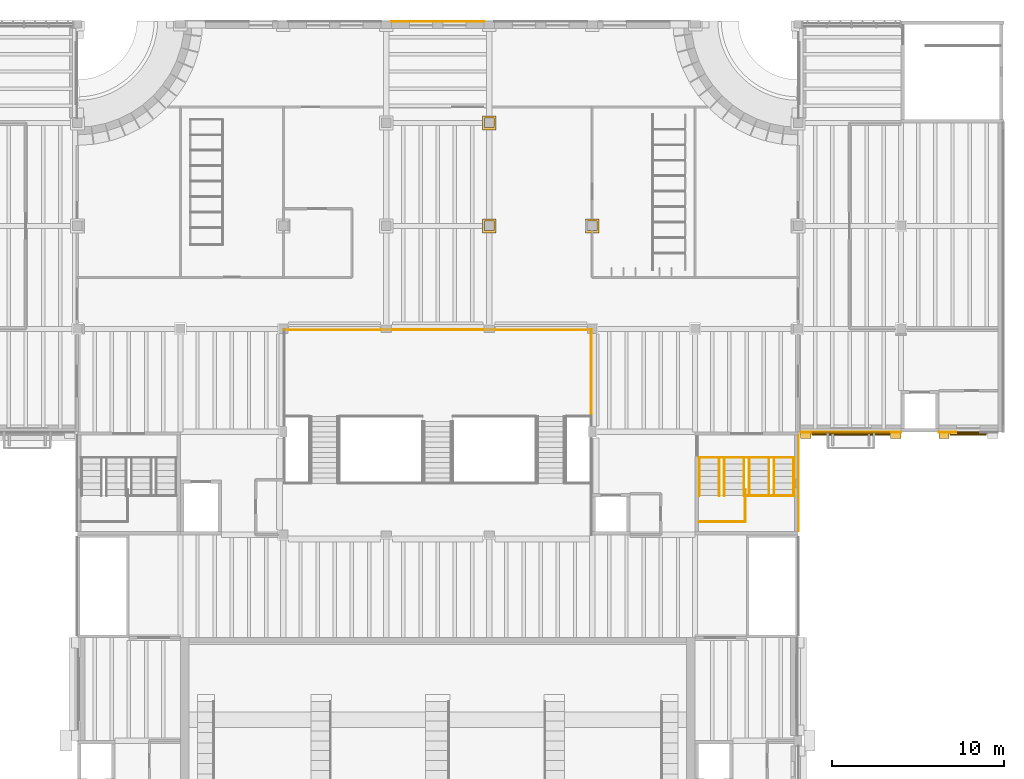
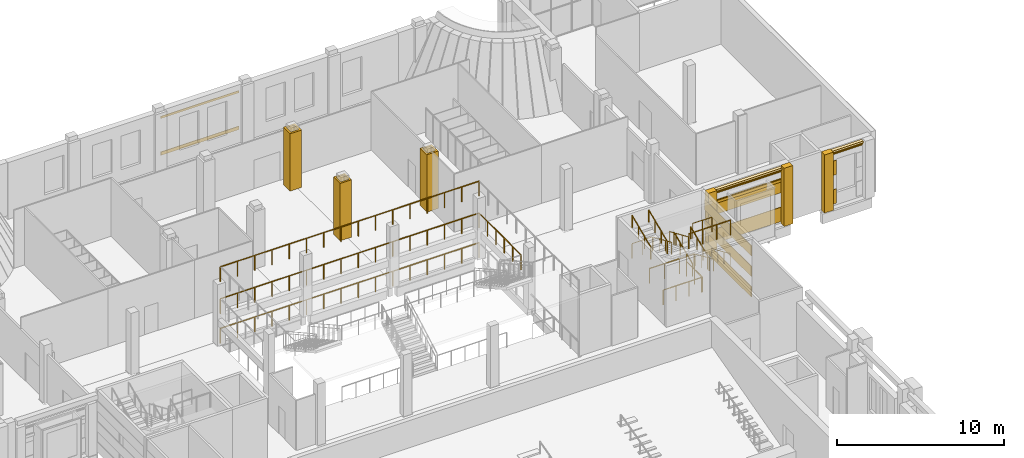
# One storey, part 68 of 70: 22 coverings, 18 railings.
"""IFC4 building model written with IfcOpenShell, lengths in metres."""

import ifcopenshell
import ifcopenshell.guid

model = None  # the IFC model being written
_history = None  # IfcOwnerHistory: only IFC2X3 demands one
_inside = {}  # id of a spatial element -> (the spatial element, [elements in it])
_under = {}  # id of a project, library or spatial element -> (it, [spatial elements below it])
_declared = {}  # id of a project -> (the project, [libraries it declares])
_typed = {}  # id of a type object -> (the type object, [elements of that type])
_made_of = {}  # id of a material, layer set ... -> (it, [elements and type objects made of it])


def new_model(schema):
    """Start an empty IFC model of exactly this schema.

    Asked for "IFC4X3", IfcOpenShell would pick the latest addendum, in which some entities
    have other attributes; the version numbers below select the first issue.
    IFC2X3 requires an IfcOwnerHistory on every rooted entity: one is made here for all.
    """
    global model, _history
    if schema == "IFC4X3":
        model = ifcopenshell.file(schema_version=(4, 3, 0, 0))
    else:
        model = ifcopenshell.file(schema=schema)
    _inside.clear()
    _under.clear()
    _declared.clear()
    _typed.clear()
    _made_of.clear()
    _history = None
    if model.schema == "IFC2X3":
        org = make("IfcOrganization", Name="unknown")
        user = make(
            "IfcPersonAndOrganization",
            ThePerson=make("IfcPerson", FamilyName="unknown"),
            TheOrganization=org,
        )
        app = make(
            "IfcApplication",
            ApplicationDeveloper=org,
            Version="unknown",
            ApplicationFullName="unknown",
            ApplicationIdentifier="unknown",
        )
        _history = make(
            "IfcOwnerHistory",
            OwningUser=user,
            OwningApplication=app,
            ChangeAction="ADDED",
            CreationDate=0,
        )
    return model


def make(cls, **values):
    """One entity of the class cls with the attributes given. An attribute that is None is left unset."""
    return model.create_entity(
        cls, **{name: value for name, value in values.items() if value is not None}
    )


def rooted(cls, **values):
    """An entity with a GlobalId (a new one), such as an element, a storey or a relation."""
    return make(cls, GlobalId=ifcopenshell.guid.new(), OwnerHistory=_history, **values)


def si_unit(unit_type, name, prefix=None):
    """IfcSIUnit, for example si_unit("LENGTHUNIT", "METRE", prefix="MILLI")."""
    return make("IfcSIUnit", UnitType=unit_type, Prefix=prefix, Name=name)


def assignment(units):
    """IfcUnitAssignment: the units of a project."""
    return None if units is None else make("IfcUnitAssignment", Units=units)


def point(xyz):
    """IfcCartesianPoint."""
    return None if xyz is None else make("IfcCartesianPoint", Coordinates=xyz)


def direction(xyz):
    """IfcDirection."""
    return None if xyz is None else make("IfcDirection", DirectionRatios=xyz)


def frame(location, z_axis=None, x_axis=None):
    """IfcAxis2Placement3D, a coordinate frame: its origin and axes. An axis left out is left unset."""
    return make(
        "IfcAxis2Placement3D",
        Location=point(location),
        Axis=direction(z_axis),
        RefDirection=direction(x_axis),
    )


def frame_2d(location, x_axis=None):
    """IfcAxis2Placement2D, a coordinate frame in the plane: its origin and x axis."""
    return make(
        "IfcAxis2Placement2D", Location=point(location), RefDirection=direction(x_axis)
    )


def origin():
    """The frame at (0, 0, 0) with its axes left unset."""
    return frame((0.0, 0.0, 0.0))


def origin_2d():
    """The frame at (0, 0) in the plane with its x axis left unset."""
    return frame_2d((0.0, 0.0))


def place(relative_to, where):
    """IfcLocalPlacement: puts the frame where relative to a parent placement (None: the world)."""
    return make(
        "IfcLocalPlacement", PlacementRelTo=relative_to, RelativePlacement=where
    )


def context(
    kind, dimensions, precision=None, world=None, true_north=None, identifier=None
):
    """IfcGeometricRepresentationContext, for example the 3D "Model" context."""
    return make(
        "IfcGeometricRepresentationContext",
        ContextIdentifier=identifier,
        ContextType=kind,
        CoordinateSpaceDimension=dimensions,
        Precision=precision,
        WorldCoordinateSystem=world,
        TrueNorth=true_north,
    )


def subcontext(parent, identifier, kind, view, scale=None):
    """IfcGeometricRepresentationSubContext, for example "Body" below "Model"."""
    return make(
        "IfcGeometricRepresentationSubContext",
        ContextIdentifier=identifier,
        ContextType=kind,
        ParentContext=parent,
        TargetScale=scale,
        TargetView=view,
    )


def project(units=None, contexts=None):
    """IfcProject with its units and contexts."""
    return rooted(
        "IfcProject",
        Name="project",
        RepresentationContexts=contexts,
        UnitsInContext=assignment(units),
    )


def spatial(cls, under=None, at=None, **own):
    """A site, building, storey or space (cls), placed at a placement, below another one or the project."""
    s = rooted(cls, ObjectPlacement=at, **own)
    if under is not None:
        _under.setdefault(under.id(), (under, []))[1].append(s)
    return s


def polyline(points):
    """IfcPolyline through the points."""
    return make("IfcPolyline", Points=[point(p) for p in points])


def profile(cls, at=None, kind="AREA", **sizes):
    """A parametric profile (cls). Its sizes go by their IFC names, for example OverallWidth=200.0."""
    return make(cls, ProfileType=kind, Position=at, **sizes)


def rectangle(**sizes):
    """IfcRectangleProfileDef."""
    return profile("IfcRectangleProfileDef", **sizes)


def circle(**sizes):
    """IfcCircleProfileDef."""
    return profile("IfcCircleProfileDef", **sizes)


def outline(outer, holes=None, kind="AREA"):
    """IfcArbitraryClosedProfileDef: a profile drawn as a closed curve; with holes, ...WithVoids."""
    if holes is None:
        return make("IfcArbitraryClosedProfileDef", ProfileType=kind, OuterCurve=outer)
    return make(
        "IfcArbitraryProfileDefWithVoids",
        ProfileType=kind,
        OuterCurve=outer,
        InnerCurves=holes,
    )


def extrude(swept, where, along, depth):
    """IfcExtrudedAreaSolid: the profile swept, set in the frame where, extruded along a direction by depth."""
    return make(
        "IfcExtrudedAreaSolid",
        SweptArea=swept,
        Position=where,
        ExtrudedDirection=direction(along),
        Depth=depth,
    )


def shape(context_of_items, identifier, shape_type, items):
    """IfcShapeRepresentation: the items that make up one representation, for example the "Body"."""
    return make(
        "IfcShapeRepresentation",
        ContextOfItems=context_of_items,
        RepresentationIdentifier=identifier,
        RepresentationType=shape_type,
        Items=items,
    )


def material(Name=None, Category=None):
    """IfcMaterial."""
    return make("IfcMaterial", Name=Name, Category=Category)


def layer(
    of_material, thickness, ventilated=None, Name=None, Category=None, Priority=None
):
    """IfcMaterialLayer: one layer of a wall or slab, of a material (None: an air gap)."""
    return make(
        "IfcMaterialLayer",
        Material=of_material,
        LayerThickness=thickness,
        IsVentilated=ventilated,
        Name=Name,
        Category=Category,
        Priority=Priority,
    )


def layer_set(layers, Name=None):
    """IfcMaterialLayerSet."""
    return make("IfcMaterialLayerSet", MaterialLayers=layers, LayerSetName=Name)


def made_of(thing, what):
    """Note that an element or type object is made of a material, layer set ...; save() writes the relation."""
    if what is not None:
        _made_of.setdefault(what.id(), (what, []))[1].append(thing)
    return thing


def type_object(cls, material=None, **own):
    """A type object (cls), such as IfcWallType, which elements share."""
    return made_of(rooted(cls, **own), material)


def element(
    cls,
    number,
    at=None,
    inside=None,
    cuts=None,
    type_object=None,
    material=None,
    context=None,
    identifier="Body",
    shape_type=None,
    held_by="IfcProductDefinitionShape",
    body=None,
    shapes=None,
    **own,
):
    """One element of the class cls, such as IfcWall. Its Tag is "e" and its number.

    at: its placement. inside: the storey or other place that contains it. cuts: it is an
    opening in that element (IfcRelVoidsElement). A single representation is given by context,
    identifier, shape_type and body (its items); several are given by shapes. held_by: the class
    of the entity that holds the representations. save() writes the other relations.
    """
    e = rooted(cls, Tag="e%d" % number, ObjectPlacement=at, **own)
    if body is not None:
        shapes = [shape(context, identifier, shape_type, body)]
    if shapes is not None:
        e.Representation = make(held_by, Representations=shapes)
    if inside is not None:
        _inside.setdefault(inside.id(), (inside, []))[1].append(e)
    if cuts is not None:
        rooted(
            "IfcRelVoidsElement", RelatingBuildingElement=cuts, RelatedOpeningElement=e
        )
    if type_object is not None:
        _typed.setdefault(type_object.id(), (type_object, []))[1].append(e)
    return made_of(e, material)


def aggregate(whole, parts):
    """IfcRelAggregates: a whole, such as a stair, and the parts it consists of."""
    return rooted("IfcRelAggregates", RelatingObject=whole, RelatedObjects=parts)


def save(model, path):
    """Write the relations noted so far, then the file.

    IfcRelAggregates (storeys below a building ...), IfcRelContainedInSpatialStructure (elements
    in a storey), IfcRelDefinesByType, IfcRelAssociatesMaterial and IfcRelDeclares: one each for
    every whole, place, type object, material and project.
    """
    for whole, parts in _under.values():
        aggregate(whole, parts)
    for where, things in _inside.values():
        rooted(
            "IfcRelContainedInSpatialStructure",
            RelatedElements=things,
            RelatingStructure=where,
        )
    for kind, things in _typed.values():
        rooted("IfcRelDefinesByType", RelatedObjects=things, RelatingType=kind)
    for what, things in _made_of.values():
        rooted("IfcRelAssociatesMaterial", RelatedObjects=things, RelatingMaterial=what)
    for by, libraries in _declared.values():
        rooted("IfcRelDeclares", RelatingContext=by, RelatedDefinitions=libraries)
    model.write(path)


model = new_model("IFC4")

# Units and contexts
model_context = context("Model", 3, precision=1e-05, world=origin(), true_north=direction((0.0, 1.0)))
body_context = subcontext(model_context, "Body", "Model", "MODEL_VIEW")
ifc_project = project(units=[si_unit("LENGTHUNIT", "METRE"), si_unit("AREAUNIT", "SQUARE_METRE"), si_unit("VOLUMEUNIT", "CUBIC_METRE"), si_unit("PLANEANGLEUNIT", "RADIAN"), si_unit("MASSUNIT", "GRAM", prefix="KILO")], contexts=[model_context])

# Site, building, storey
site_placement = place(None, origin())
site = spatial("IfcSite", under=ifc_project, at=site_placement, CompositionType="ELEMENT")
building_placement = place(site_placement, origin())
building = spatial("IfcBuilding", under=site, at=building_placement, Name="Saffron Lane Theatres", CompositionType="ELEMENT")
storey_placement = place(building_placement, frame((0.0, 0.0, 12.0)))
storey = spatial("IfcBuildingStorey", under=building, at=storey_placement, Name="L02", CompositionType="ELEMENT", Elevation=12.0)

# Coverings
ifc_material_1 = material(Name="Masonry sandstone", Category="masonry")
ifc_layer_1 = layer(ifc_material_1, 0.0400390625)
ifc_layer_set_1 = layer_set([ifc_layer_1], Name="Masonry sandstone")
covering_type_1 = type_object("IfcCoveringType", Name="EX-BANDING COURSE SANDSTONE 40", PredefinedType="CLADDING", material=ifc_layer_set_1)
for number, where, z_axis, x_axis, name in (
    (1, (54.02001953125, 99.0, 0.0), (0.0, 0.0, 1.0), (0.0, 1.0, 0.0), "Banding course L02"),
    (2, (54.02001953125, 99.0, 1.5), (0.0, 0.0, 1.0), (0.0, 1.0, 0.0), "Banding course L02"),
    (3, (54.02001953125, 99.0, 3.0), (0.0, 0.0, 1.0), (0.0, 1.0, 0.0), "Banding course L02"),
):
    element("IfcCovering", number, at=place(storey_placement, frame(where, z_axis=z_axis, x_axis=x_axis)), inside=storey, type_object=covering_type_1, Name=name, PredefinedType="CLADDING", context=body_context, shape_type="SweptSolid", body=[
        extrude(rectangle(XDim=5.60009765625, YDim=0.0400390625, at=origin_2d()), origin(), (0.0, 0.0, 1.0), 0.75),
    ])
ifc_material_2 = material(Name="Masonry sandstone", Category="masonry")
ifc_layer_2 = layer(ifc_material_2, 0.179931640625)
ifc_layer_set_2 = layer_set([ifc_layer_2], Name="Masonry sandstone")
covering_type_2 = type_object("IfcCoveringType", Name="EX-EAVES CORNICE SANDSTONE 180", PredefinedType="CLADDING", material=ifc_layer_set_2)
covering_1_placement = place(storey_placement, frame((63.919921875, 101.889892578125, 4.06005859375), z_axis=(0.0, 0.0, 1.0), x_axis=(-1.0, 0.0, 0.0)))
element("IfcCovering", 4, at=covering_1_placement, inside=storey, type_object=covering_type_2, Name="Eaves cornice L02", PredefinedType="CLADDING", context=body_context, shape_type="SweptSolid", body=[
    extrude(rectangle(XDim=2.139892578125, YDim=0.219970703125, at=origin_2d()), origin(), (0.0, 0.0, 1.0), 0.1298828125),
])
covering_2_placement = place(storey_placement, frame((63.919921875, 101.925048828125, 3.93017578125), z_axis=(0.0, 0.0, 1.0), x_axis=(-1.0, 0.0, 0.0)))
element("IfcCovering", 5, at=covering_2_placement, inside=storey, type_object=covering_type_2, Name="Eaves cornice L02", PredefinedType="CLADDING", context=body_context, shape_type="SweptSolid", body=[
    extrude(rectangle(XDim=2.139892578125, YDim=0.14990234375, at=origin_2d()), origin(), (0.0, 0.0, 1.0), 0.1298828125),
])
covering_3_placement = place(storey_placement, frame((63.919921875, 101.9599609375, 3.800048828125), z_axis=(0.0, 0.0, 1.0), x_axis=(-1.0, 0.0, 0.0)))
element("IfcCovering", 6, at=covering_3_placement, inside=storey, type_object=covering_type_2, Name="Eaves cornice L02", PredefinedType="CLADDING", context=body_context, shape_type="SweptSolid", body=[
    extrude(rectangle(XDim=2.139892578125, YDim=0.080078125, at=origin_2d()), origin(), (0.0, 0.0, 1.0), 0.1298828125),
])
covering_4_placement = place(storey_placement, frame((57.074951171875, 101.889892578125, 4.06005859375), z_axis=(0.0, 0.0, 1.0), x_axis=(-1.0, 0.0, 0.0)))
element("IfcCovering", 7, at=covering_4_placement, inside=storey, type_object=covering_type_2, Name="Eaves cornice L02", PredefinedType="CLADDING", context=body_context, shape_type="SweptSolid", body=[
    extrude(rectangle(XDim=4.550048828125, YDim=0.219970703125, at=origin_2d()), origin(), (0.0, 0.0, 1.0), 0.1298828125),
])
covering_5_placement = place(storey_placement, frame((57.074951171875, 101.925048828125, 3.93017578125), z_axis=(0.0, 0.0, 1.0), x_axis=(-1.0, 0.0, 0.0)))
element("IfcCovering", 8, at=covering_5_placement, inside=storey, type_object=covering_type_2, Name="Eaves cornice L02", PredefinedType="CLADDING", context=body_context, shape_type="SweptSolid", body=[
    extrude(rectangle(XDim=4.550048828125, YDim=0.14990234375, at=origin_2d()), origin(), (0.0, 0.0, 1.0), 0.1298828125),
])
covering_6_placement = place(storey_placement, frame((57.074951171875, 101.9599609375, 3.800048828125), z_axis=(0.0, 0.0, 1.0), x_axis=(-1.0, 0.0, 0.0)))
element("IfcCovering", 9, at=covering_6_placement, inside=storey, type_object=covering_type_2, Name="Eaves cornice L02", PredefinedType="CLADDING", context=body_context, shape_type="SweptSolid", body=[
    extrude(rectangle(XDim=4.550048828125, YDim=0.080078125, at=origin_2d()), origin(), (0.0, 0.0, 1.0), 0.1298828125),
])
ifc_material_3 = material(Name="Masonry sandstone", Category="masonry")
ifc_layer_3 = layer(ifc_material_3, 0.1201171875)
ifc_layer_set_3 = layer_set([ifc_layer_3], Name="Masonry sandstone")
covering_type_3 = type_object("IfcCoveringType", Name="EX-EAVES STRING COURSE SANDSTONE 120", PredefinedType="CLADDING", material=ifc_layer_set_3)
covering_7_placement = place(storey_placement, frame((57.074951171875, 101.93994140625, 3.10009765625), z_axis=(0.0, 0.0, 1.0), x_axis=(-1.0, 0.0, 0.0)))
element("IfcCovering", 10, at=covering_7_placement, inside=storey, type_object=covering_type_3, Name="Eaves string course L02", PredefinedType="CLADDING", context=body_context, shape_type="SweptSolid", body=[
    extrude(rectangle(XDim=4.550048828125, YDim=0.1201171875, at=origin_2d()), origin(), (0.0, 0.0, 1.0), 0.199951171875),
])
ifc_material_4 = material(Name="Face brick cladding, pale buff", Category="masonry")
ifc_layer_4 = layer(ifc_material_4, 0.0400390625)
ifc_layer_set_4 = layer_set([ifc_layer_4], Name="Face brick cladding, pale buff")
covering_type_4 = type_object("IfcCoveringType", Name="EX-FACE BRICK CLADDING PALE BUFF 40", PredefinedType="CLADDING", material=ifc_layer_set_4)
for number, where, z_axis, x_axis, name in (
    (11, (62.7119140625, 101.97998046875, 0.14990234375), (0.0, 0.0, 1.0), (-1.0, 0.0, 0.0), "Cladding course L02"),
    (12, (62.7119140625, 101.97998046875, 2.25), (0.0, 0.0, 1.0), (-1.0, 0.0, 0.0), "Cladding course L02"),
):
    element("IfcCovering", number, at=place(storey_placement, frame(where, z_axis=z_axis, x_axis=x_axis)), inside=storey, type_object=covering_type_4, Name=name, PredefinedType="CLADDING", context=body_context, shape_type="SweptSolid", body=[
        extrude(rectangle(XDim=1.02490234375, YDim=0.0400390625, at=origin_2d()), origin(), (0.0, 0.0, 1.0), 1.050048828125),
    ])
for number, where, z_axis, x_axis, name in (
    (13, (57.074951171875, 101.97998046875, 0.14990234375), (0.0, 0.0, 1.0), (-1.0, 0.0, 0.0), "Cladding course L02"),
    (14, (57.074951171875, 101.97998046875, 2.25), (0.0, 0.0, 1.0), (-1.0, 0.0, 0.0), "Cladding course L02"),
):
    element("IfcCovering", number, at=place(storey_placement, frame(where, z_axis=z_axis, x_axis=x_axis)), inside=storey, type_object=covering_type_4, Name=name, PredefinedType="CLADDING", context=body_context, shape_type="SweptSolid", body=[
        extrude(rectangle(XDim=5.85009765625, YDim=0.0400390625, at=origin_2d()), origin(), (0.0, 0.0, 1.0), 1.050048828125),
    ])
ifc_material_5 = material(Name="Masonry sandstone", Category="masonry")
ifc_layer_5 = layer(ifc_material_5, 0.0400390625)
ifc_layer_set_5 = layer_set([ifc_layer_5], Name="Masonry sandstone")
covering_type_5 = type_object("IfcCoveringType", Name="EX-HEAD COURSE SANDSTONE 150", PredefinedType="CLADDING", material=ifc_layer_set_5)
covering_8_placement = place(storey_placement, frame((33.0, 125.919921875, 3.35009765625), z_axis=(0.0, 0.0, 1.0), x_axis=(1.0, 0.0, 0.0)))
element("IfcCovering", 15, at=covering_8_placement, inside=storey, type_object=covering_type_5, Name="Facade head course L02", PredefinedType="CLADDING", context=body_context, shape_type="SweptSolid", body=[
    extrude(rectangle(XDim=5.39990234375, YDim=0.0400390625, at=origin_2d()), origin(), (0.0, 0.0, 1.0), 0.14990234375),
])
ifc_material_6 = material(Name="Face brick cladding, pale buff", Category="masonry")
ifc_layer_6 = layer(ifc_material_6, 0.10009765625)
ifc_layer_set_6 = layer_set([ifc_layer_6], Name="Face brick cladding, pale buff")
covering_type_6 = type_object("IfcCoveringType", Name="EX-PIER CASING FACE BRICK PALE BUFF 800", PredefinedType="CLADDING", material=ifc_layer_set_6)
covering_9_placement = place(storey_placement, origin())
element("IfcCovering", 16, at=covering_9_placement, inside=storey, type_object=covering_type_6, Name="Pier casing L02 46", PredefinedType="CLADDING", context=body_context, shape_type="SweptSolid", body=[
    extrude(outline(polyline([(36.39990234375, 114.39990234375), (35.60009765625, 114.39990234375), (35.60009765625, 113.60009765625), (36.39990234375, 113.60009765625), (36.39990234375, 114.39990234375)]), holes=[polyline([(35.72509765625, 114.27490234375), (36.27490234375, 114.27490234375), (36.27490234375, 113.72509765625), (35.72509765625, 113.72509765625), (35.72509765625, 114.27490234375)])]), origin(), (0.0, 0.0, 1.0), 4.199951171875),
])
covering_10_placement = place(storey_placement, origin())
element("IfcCovering", 17, at=covering_10_placement, inside=storey, type_object=covering_type_6, Name="Pier casing L02 47", PredefinedType="CLADDING", context=body_context, shape_type="SweptSolid", body=[
    extrude(outline(polyline([(42.39990234375, 114.39990234375), (41.60009765625, 114.39990234375), (41.60009765625, 113.60009765625), (42.39990234375, 113.60009765625), (42.39990234375, 114.39990234375)]), holes=[polyline([(41.72509765625, 114.27490234375), (42.27490234375, 114.27490234375), (42.27490234375, 113.72509765625), (41.72509765625, 113.72509765625), (41.72509765625, 114.27490234375)])]), origin(), (0.0, 0.0, 1.0), 4.199951171875),
])
covering_11_placement = place(storey_placement, origin())
element("IfcCovering", 18, at=covering_11_placement, inside=storey, type_object=covering_type_6, Name="Pier casing L02 51", PredefinedType="CLADDING", context=body_context, shape_type="SweptSolid", body=[
    extrude(outline(polyline([(36.39990234375, 120.39990234375), (35.60009765625, 120.39990234375), (35.60009765625, 119.60009765625), (36.39990234375, 119.60009765625), (36.39990234375, 120.39990234375)]), holes=[polyline([(35.72509765625, 120.27490234375), (36.27490234375, 120.27490234375), (36.27490234375, 119.72509765625), (35.72509765625, 119.72509765625), (35.72509765625, 120.27490234375)])]), origin(), (0.0, 0.0, 1.0), 4.199951171875),
])
ifc_material_7 = material(Name="Masonry sandstone", Category="masonry")
ifc_layer_7 = layer(ifc_material_7, 0.39990234375)
ifc_layer_set_7 = layer_set([ifc_layer_7], Name="Masonry sandstone")
covering_type_7 = type_object("IfcCoveringType", Name="EX-PILASTER PIER SANDSTONE 400", PredefinedType="CLADDING", material=ifc_layer_set_7)
for number, where, z_axis, x_axis, name in (
    (19, (62.5, 101.800048828125, 0.0), (0.0, 0.0, 1.0), (-1.0, 0.0, 0.0), "Pilaster pier L02"),
    (20, (59.699951171875, 101.800048828125, 0.0), (0.0, 0.0, 1.0), (-1.0, 0.0, 0.0), "Pilaster pier L02"),
    (21, (54.449951171875, 101.800048828125, 0.0), (0.0, 0.0, 1.0), (-1.0, 0.0, 0.0), "Pilaster pier L02"),
):
    element("IfcCovering", number, at=place(storey_placement, frame(where, z_axis=z_axis, x_axis=x_axis)), inside=storey, type_object=covering_type_7, Name=name, PredefinedType="CLADDING", context=body_context, shape_type="SweptSolid", body=[
        extrude(rectangle(XDim=0.60009765625, YDim=0.39990234375, at=origin_2d()), origin(), (0.0, 0.0, 1.0), 4.25),
    ])
ifc_material_8 = material(Name="Masonry sandstone", Category="masonry")
ifc_layer_8 = layer(ifc_material_8, 0.0400390625)
ifc_layer_set_8 = layer_set([ifc_layer_8], Name="Masonry sandstone")
covering_type_8 = type_object("IfcCoveringType", Name="EX-SILL COURSE SANDSTONE 250", PredefinedType="CLADDING", material=ifc_layer_set_8)
covering_12_placement = place(storey_placement, frame((33.0, 125.919921875, 0.64990234375), z_axis=(0.0, 0.0, 1.0), x_axis=(1.0, 0.0, 0.0)))
element("IfcCovering", 22, at=covering_12_placement, inside=storey, type_object=covering_type_8, Name="Facade sill course L02", PredefinedType="CLADDING", context=body_context, shape_type="SweptSolid", body=[
    extrude(rectangle(XDim=5.39990234375, YDim=0.0400390625, at=origin_2d()), origin(), (0.0, 0.0, 1.0), 0.25),
])

# Railings
ifc_material_9 = material(Name="Steel Grade 350", Category="steel")
railing_type_1 = type_object("IfcRailingType", Name="VC-GUARD 1100", PredefinedType="GUARDRAIL", material=ifc_material_9)
railing_1_placement = place(storey_placement, frame((50.89990234375, 96.75, 1.125)))
element("IfcRailing", 23, at=railing_1_placement, inside=storey, type_object=railing_type_1, Name="Brick Block East Stair landing guard 3N1s", PredefinedType="GUARDRAIL", context=body_context, shape_type="SweptSolid", body=[
    extrude(circle(Radius=0.02392578125, at=origin_2d()), frame((0.0, 0.0, 1.076171875), z_axis=(-1.0, 0.0, 0.0), x_axis=(0.0, -1.0, 0.0)), (0.0, 0.0, 1.0), 2.669921875),
    extrude(circle(Radius=0.02099609375, at=origin_2d()), origin(), (0.0, 0.0, 1.0), 1.052001953125),
    extrude(circle(Radius=0.02099609375, at=origin_2d()), frame((-0.889892578125, 0.0, 0.0)), (0.0, 0.0, 1.0), 1.052001953125),
    extrude(circle(Radius=0.02099609375, at=origin_2d()), frame((-1.780029296875, 0.0, 0.0)), (0.0, 0.0, 1.0), 1.052001953125),
    extrude(circle(Radius=0.02099609375, at=origin_2d()), frame((-2.669921875, 0.0, 0.0)), (0.0, 0.0, 1.0), 1.052001953125),
])
railing_2_placement = place(storey_placement, frame((50.929931640625, 98.6298828125, 1.125)))
element("IfcRailing", 24, at=railing_2_placement, inside=storey, type_object=railing_type_1, Name="Brick Block East Stair landing guard 3N1e", PredefinedType="GUARDRAIL", context=body_context, shape_type="SweptSolid", body=[
    extrude(circle(Radius=0.02392578125, at=origin_2d()), frame((0.0, 0.0, 1.076171875), z_axis=(0.0, -1.0, 0.0), x_axis=(1.0, 0.0, 0.0)), (0.0, 0.0, 1.0), 1.8798828125),
    extrude(circle(Radius=0.02099609375, at=origin_2d()), origin(), (0.0, 0.0, 1.0), 1.052001953125),
    extrude(circle(Radius=0.02099609375, at=origin_2d()), frame((0.0, -0.93994140625, 0.0)), (0.0, 0.0, 1.0), 1.052001953125),
    extrude(circle(Radius=0.02099609375, at=origin_2d()), frame((0.0, -1.8798828125, 0.0)), (0.0, 0.0, 1.0), 1.052001953125),
])
railing_3_placement = place(storey_placement, frame((53.77001953125, 98.280029296875, 3.375)))
element("IfcRailing", 25, at=railing_3_placement, inside=storey, type_object=railing_type_1, Name="Brick Block East Stair landing guard 3N2s", PredefinedType="GUARDRAIL", context=body_context, shape_type="SweptSolid", body=[
    extrude(circle(Radius=0.02392578125, at=origin_2d()), frame((0.0, 0.0, 1.076171875), z_axis=(-1.0, 0.0, 0.0), x_axis=(0.0, -1.0, 0.0)), (0.0, 0.0, 1.0), 2.8701171875),
    extrude(circle(Radius=0.02099609375, at=origin_2d()), origin(), (0.0, 0.0, 1.0), 1.052001953125),
    extrude(circle(Radius=0.02099609375, at=origin_2d()), frame((-0.956787109375, 0.0, 0.0)), (0.0, 0.0, 1.0), 1.052001953125),
    extrude(circle(Radius=0.02099609375, at=origin_2d()), frame((-1.913330078125, 0.0, 0.0)), (0.0, 0.0, 1.0), 1.052001953125),
    extrude(circle(Radius=0.02099609375, at=origin_2d()), frame((-2.8701171875, 0.0, 0.0)), (0.0, 0.0, 1.0), 1.052001953125),
])
railing_4_placement = place(storey_placement, frame((53.77001953125, 100.5, 2.25)))
element("IfcRailing", 26, at=railing_4_placement, inside=storey, type_object=railing_type_1, Name="Brick Block East Stair landing guard 3S2w", PredefinedType="GUARDRAIL", context=body_context, shape_type="SweptSolid", body=[
    extrude(circle(Radius=0.02392578125, at=origin_2d()), frame((0.0, 0.0, 1.076171875), z_axis=(-1.0, 0.0, 0.0), x_axis=(0.0, -1.0, 0.0)), (0.0, 0.0, 1.0), 1.320068359375),
    extrude(circle(Radius=0.02099609375, at=origin_2d()), origin(), (0.0, 0.0, 1.0), 1.052001953125),
    extrude(circle(Radius=0.02099609375, at=origin_2d()), frame((-0.66015625, 0.0, 0.0)), (0.0, 0.0, 1.0), 1.052001953125),
    extrude(circle(Radius=0.02099609375, at=origin_2d()), frame((-1.320068359375, 0.0, 0.0)), (0.0, 0.0, 1.0), 1.052001953125),
])
railing_5_placement = place(storey_placement, frame((49.64990234375, 100.5, 2.25)))
element("IfcRailing", 27, at=railing_5_placement, inside=storey, type_object=railing_type_1, Name="Brick Block East Stair landing guard 3S2e", PredefinedType="GUARDRAIL", context=body_context, shape_type="SweptSolid", body=[
    extrude(circle(Radius=0.02392578125, at=origin_2d()), frame((0.0, 0.0, 1.076171875), z_axis=(-1.0, 0.0, 0.0), x_axis=(0.0, -1.0, 0.0)), (0.0, 0.0, 1.0), 1.419921875),
    extrude(circle(Radius=0.02099609375, at=origin_2d()), origin(), (0.0, 0.0, 1.0), 1.052001953125),
    extrude(circle(Radius=0.02099609375, at=origin_2d()), frame((-0.7099609375, 0.0, 0.0)), (0.0, 0.0, 1.0), 1.052001953125),
    extrude(circle(Radius=0.02099609375, at=origin_2d()), frame((-1.419921875, 0.0, 0.0)), (0.0, 0.0, 1.0), 1.052001953125),
])
railing_6_placement = place(storey_placement, frame((52.550048828125, 100.5, 0.0)))
element("IfcRailing", 28, at=railing_6_placement, inside=storey, type_object=railing_type_1, Name="Brick Block East Stair guard L02", PredefinedType="GUARDRAIL", context=body_context, shape_type="SweptSolid", body=[
    extrude(circle(Radius=0.02392578125, at=origin_2d()), frame((0.0, 0.0, 1.076171875), z_axis=(-1.0, 0.0, 0.0), x_axis=(0.0, -1.0, 0.0)), (0.0, 0.0, 1.0), 3.10009765625),
    extrude(circle(Radius=0.02099609375, at=origin_2d()), origin(), (0.0, 0.0, 1.0), 1.052001953125),
    extrude(circle(Radius=0.02099609375, at=origin_2d()), frame((-1.033447265625, 0.0, 0.0)), (0.0, 0.0, 1.0), 1.052001953125),
    extrude(circle(Radius=0.02099609375, at=origin_2d()), frame((-2.066650390625, 0.0, 0.0)), (0.0, 0.0, 1.0), 1.052001953125),
    extrude(circle(Radius=0.02099609375, at=origin_2d()), frame((-3.10009765625, 0.0, 0.0)), (0.0, 0.0, 1.0), 1.052001953125),
])
railing_7_placement = place(storey_placement, frame((41.949951171875, 102.89990234375, 2.166748046875)))
element("IfcRailing", 29, at=railing_7_placement, inside=storey, type_object=railing_type_1, Name="Grand Stair landing guard 3m-east", PredefinedType="GUARDRAIL", context=body_context, shape_type="SweptSolid", body=[
    extrude(circle(Radius=0.02392578125, at=origin_2d()), frame((0.0, 0.0, 1.076171875), z_axis=(0.0, 1.0, 0.0), x_axis=(-1.0, 0.0, 0.0)), (0.0, 0.0, 1.0), 5.050048828125),
    extrude(circle(Radius=0.02099609375, at=origin_2d()), origin(), (0.0, 0.0, 1.0), 1.052001953125),
    extrude(circle(Radius=0.02099609375, at=origin_2d()), frame((0.0, 1.010009765625, 0.0)), (0.0, 0.0, 1.0), 1.052001953125),
    extrude(circle(Radius=0.02099609375, at=origin_2d()), frame((0.0, 2.02001953125, 0.0)), (0.0, 0.0, 1.0), 1.052001953125),
    extrude(circle(Radius=0.02099609375, at=origin_2d()), frame((0.0, 3.030029296875, 0.0)), (0.0, 0.0, 1.0), 1.052001953125),
    extrude(circle(Radius=0.02099609375, at=origin_2d()), frame((0.0, 4.0400390625, 0.0)), (0.0, 0.0, 1.0), 1.052001953125),
    extrude(circle(Radius=0.02099609375, at=origin_2d()), frame((0.0, 5.050048828125, 0.0)), (0.0, 0.0, 1.0), 1.052001953125),
])
railing_8_placement = place(storey_placement, frame((24.050048828125, 107.949951171875, 2.166748046875)))
element("IfcRailing", 30, at=railing_8_placement, inside=storey, type_object=railing_type_1, Name="Grand Stair landing guard 3m-north", PredefinedType="GUARDRAIL", context=body_context, shape_type="SweptSolid", body=[
    extrude(circle(Radius=0.02392578125, at=origin_2d()), frame((0.0, 0.0, 1.076171875), z_axis=(1.0, 0.0, 0.0), x_axis=(0.0, 1.0, 0.0)), (0.0, 0.0, 1.0), 17.89990234375),
    extrude(circle(Radius=0.02099609375, at=origin_2d()), origin(), (0.0, 0.0, 1.0), 1.052001953125),
    extrude(circle(Radius=0.02099609375, at=origin_2d()), frame((1.193359375, 0.0, 0.0)), (0.0, 0.0, 1.0), 1.052001953125),
    extrude(circle(Radius=0.02099609375, at=origin_2d()), frame((2.38671875, 0.0, 0.0)), (0.0, 0.0, 1.0), 1.052001953125),
    extrude(circle(Radius=0.02099609375, at=origin_2d()), frame((3.580078125, 0.0, 0.0)), (0.0, 0.0, 1.0), 1.052001953125),
    extrude(circle(Radius=0.02099609375, at=origin_2d()), frame((4.773193359375, 0.0, 0.0)), (0.0, 0.0, 1.0), 1.052001953125),
    extrude(circle(Radius=0.02099609375, at=origin_2d()), frame((5.966552734375, 0.0, 0.0)), (0.0, 0.0, 1.0), 1.052001953125),
    extrude(circle(Radius=0.02099609375, at=origin_2d()), frame((7.159912109375, 0.0, 0.0)), (0.0, 0.0, 1.0), 1.052001953125),
    extrude(circle(Radius=0.02099609375, at=origin_2d()), frame((8.353271484375, 0.0, 0.0)), (0.0, 0.0, 1.0), 1.052001953125),
    extrude(circle(Radius=0.02099609375, at=origin_2d()), frame((9.546630859375, 0.0, 0.0)), (0.0, 0.0, 1.0), 1.052001953125),
    extrude(circle(Radius=0.02099609375, at=origin_2d()), frame((10.739990234375, 0.0, 0.0)), (0.0, 0.0, 1.0), 1.052001953125),
    extrude(circle(Radius=0.02099609375, at=origin_2d()), frame((11.933349609375, 0.0, 0.0)), (0.0, 0.0, 1.0), 1.052001953125),
    extrude(circle(Radius=0.02099609375, at=origin_2d()), frame((13.126708984375, 0.0, 0.0)), (0.0, 0.0, 1.0), 1.052001953125),
    extrude(circle(Radius=0.02099609375, at=origin_2d()), frame((14.31982421875, 0.0, 0.0)), (0.0, 0.0, 1.0), 1.052001953125),
    extrude(circle(Radius=0.02099609375, at=origin_2d()), frame((15.51318359375, 0.0, 0.0)), (0.0, 0.0, 1.0), 1.052001953125),
    extrude(circle(Radius=0.02099609375, at=origin_2d()), frame((16.70654296875, 0.0, 0.0)), (0.0, 0.0, 1.0), 1.052001953125),
    extrude(circle(Radius=0.02099609375, at=origin_2d()), frame((17.89990234375, 0.0, 0.0)), (0.0, 0.0, 1.0), 1.052001953125),
])
railing_9_placement = place(storey_placement, frame((24.050048828125, 107.949951171875, 0.0)))
element("IfcRailing", 31, at=railing_9_placement, inside=storey, type_object=railing_type_1, Name="Grand Stair landing guard 3v-n-L02", PredefinedType="GUARDRAIL", context=body_context, shape_type="SweptSolid", body=[
    extrude(circle(Radius=0.02392578125, at=origin_2d()), frame((0.0, 0.0, 1.076171875), z_axis=(1.0, 0.0, 0.0), x_axis=(0.0, 1.0, 0.0)), (0.0, 0.0, 1.0), 17.89990234375),
    extrude(circle(Radius=0.02099609375, at=origin_2d()), origin(), (0.0, 0.0, 1.0), 1.052001953125),
    extrude(circle(Radius=0.02099609375, at=origin_2d()), frame((1.193359375, 0.0, 0.0)), (0.0, 0.0, 1.0), 1.052001953125),
    extrude(circle(Radius=0.02099609375, at=origin_2d()), frame((2.38671875, 0.0, 0.0)), (0.0, 0.0, 1.0), 1.052001953125),
    extrude(circle(Radius=0.02099609375, at=origin_2d()), frame((3.580078125, 0.0, 0.0)), (0.0, 0.0, 1.0), 1.052001953125),
    extrude(circle(Radius=0.02099609375, at=origin_2d()), frame((4.773193359375, 0.0, 0.0)), (0.0, 0.0, 1.0), 1.052001953125),
    extrude(circle(Radius=0.02099609375, at=origin_2d()), frame((5.966552734375, 0.0, 0.0)), (0.0, 0.0, 1.0), 1.052001953125),
    extrude(circle(Radius=0.02099609375, at=origin_2d()), frame((7.159912109375, 0.0, 0.0)), (0.0, 0.0, 1.0), 1.052001953125),
    extrude(circle(Radius=0.02099609375, at=origin_2d()), frame((8.353271484375, 0.0, 0.0)), (0.0, 0.0, 1.0), 1.052001953125),
    extrude(circle(Radius=0.02099609375, at=origin_2d()), frame((9.546630859375, 0.0, 0.0)), (0.0, 0.0, 1.0), 1.052001953125),
    extrude(circle(Radius=0.02099609375, at=origin_2d()), frame((10.739990234375, 0.0, 0.0)), (0.0, 0.0, 1.0), 1.052001953125),
    extrude(circle(Radius=0.02099609375, at=origin_2d()), frame((11.933349609375, 0.0, 0.0)), (0.0, 0.0, 1.0), 1.052001953125),
    extrude(circle(Radius=0.02099609375, at=origin_2d()), frame((13.126708984375, 0.0, 0.0)), (0.0, 0.0, 1.0), 1.052001953125),
    extrude(circle(Radius=0.02099609375, at=origin_2d()), frame((14.31982421875, 0.0, 0.0)), (0.0, 0.0, 1.0), 1.052001953125),
    extrude(circle(Radius=0.02099609375, at=origin_2d()), frame((15.51318359375, 0.0, 0.0)), (0.0, 0.0, 1.0), 1.052001953125),
    extrude(circle(Radius=0.02099609375, at=origin_2d()), frame((16.70654296875, 0.0, 0.0)), (0.0, 0.0, 1.0), 1.052001953125),
    extrude(circle(Radius=0.02099609375, at=origin_2d()), frame((17.89990234375, 0.0, 0.0)), (0.0, 0.0, 1.0), 1.052001953125),
])
railing_10_placement = place(storey_placement, frame((24.050048828125, 107.949951171875, 4.5)))
element("IfcRailing", 32, at=railing_10_placement, inside=storey, type_object=railing_type_1, Name="Grand Stair landing guard 3v-n-L03", PredefinedType="GUARDRAIL", context=body_context, shape_type="SweptSolid", body=[
    extrude(circle(Radius=0.02392578125, at=origin_2d()), frame((0.0, 0.0, 1.076171875), z_axis=(1.0, 0.0, 0.0), x_axis=(0.0, 1.0, 0.0)), (0.0, 0.0, 1.0), 17.89990234375),
    extrude(circle(Radius=0.02099609375, at=origin_2d()), origin(), (0.0, 0.0, 1.0), 1.052001953125),
    extrude(circle(Radius=0.02099609375, at=origin_2d()), frame((1.193359375, 0.0, 0.0)), (0.0, 0.0, 1.0), 1.052001953125),
    extrude(circle(Radius=0.02099609375, at=origin_2d()), frame((2.38671875, 0.0, 0.0)), (0.0, 0.0, 1.0), 1.052001953125),
    extrude(circle(Radius=0.02099609375, at=origin_2d()), frame((3.580078125, 0.0, 0.0)), (0.0, 0.0, 1.0), 1.052001953125),
    extrude(circle(Radius=0.02099609375, at=origin_2d()), frame((4.773193359375, 0.0, 0.0)), (0.0, 0.0, 1.0), 1.052001953125),
    extrude(circle(Radius=0.02099609375, at=origin_2d()), frame((5.966552734375, 0.0, 0.0)), (0.0, 0.0, 1.0), 1.052001953125),
    extrude(circle(Radius=0.02099609375, at=origin_2d()), frame((7.159912109375, 0.0, 0.0)), (0.0, 0.0, 1.0), 1.052001953125),
    extrude(circle(Radius=0.02099609375, at=origin_2d()), frame((8.353271484375, 0.0, 0.0)), (0.0, 0.0, 1.0), 1.052001953125),
    extrude(circle(Radius=0.02099609375, at=origin_2d()), frame((9.546630859375, 0.0, 0.0)), (0.0, 0.0, 1.0), 1.052001953125),
    extrude(circle(Radius=0.02099609375, at=origin_2d()), frame((10.739990234375, 0.0, 0.0)), (0.0, 0.0, 1.0), 1.052001953125),
    extrude(circle(Radius=0.02099609375, at=origin_2d()), frame((11.933349609375, 0.0, 0.0)), (0.0, 0.0, 1.0), 1.052001953125),
    extrude(circle(Radius=0.02099609375, at=origin_2d()), frame((13.126708984375, 0.0, 0.0)), (0.0, 0.0, 1.0), 1.052001953125),
    extrude(circle(Radius=0.02099609375, at=origin_2d()), frame((14.31982421875, 0.0, 0.0)), (0.0, 0.0, 1.0), 1.052001953125),
    extrude(circle(Radius=0.02099609375, at=origin_2d()), frame((15.51318359375, 0.0, 0.0)), (0.0, 0.0, 1.0), 1.052001953125),
    extrude(circle(Radius=0.02099609375, at=origin_2d()), frame((16.70654296875, 0.0, 0.0)), (0.0, 0.0, 1.0), 1.052001953125),
    extrude(circle(Radius=0.02099609375, at=origin_2d()), frame((17.89990234375, 0.0, 0.0)), (0.0, 0.0, 1.0), 1.052001953125),
])
ifc_material_10 = material(Name="Steel Grade 350", Category="steel")
railing_type_2 = type_object("IfcRailingType", Name="VC-HANDRAIL 900", PredefinedType="HANDRAIL", material=ifc_material_10)
for number, where, name in (
    (33, (53.75, 100.5, 0.16064453125), "Brick Block East Stair handrail 3.1a"),
    (34, (52.60009765625, 100.5, 0.16064453125), "Brick Block East Stair handrail 3.1b"),
):
    element("IfcRailing", number, at=place(storey_placement, frame(where)), inside=storey, type_object=railing_type_2, Name=name, PredefinedType="HANDRAIL", context=body_context, shape_type="SweptSolid", body=[
        extrude(circle(Radius=0.02392578125, at=origin_2d()), frame((0.0, 0.0, 0.8759765625), z_axis=(0.0, -0.917161435653, 0.398515872898), x_axis=(1.0, 0.0, 0.0)), (0.0, 0.0, 1.0), 0.806884765625),
        extrude(circle(Radius=0.02392578125, at=origin_2d()), frame((0.0, -0.739990234375, 1.197265625), z_axis=(0.0, -0.917272012673, 0.398261289567), x_axis=(1.0, 0.0, 0.0)), (0.0, 0.0, 1.0), 0.806640625),
        extrude(circle(Radius=0.02392578125, at=origin_2d()), frame((0.0, -1.47998046875, 1.5185546875), z_axis=(0.0, -0.917161435653, 0.398515872898), x_axis=(1.0, 0.0, 0.0)), (0.0, 0.0, 1.0), 0.806884765625),
        extrude(circle(Radius=0.02099609375, at=origin_2d()), origin(), (0.0, 0.0, 1.0), 0.851806640625),
        extrude(circle(Radius=0.02099609375, at=origin_2d()), frame((0.0, -0.739990234375, 0.321533203125)), (0.0, 0.0, 1.0), 0.851806640625),
        extrude(circle(Radius=0.02099609375, at=origin_2d()), frame((0.0, -1.47998046875, 0.642822265625)), (0.0, 0.0, 1.0), 0.851806640625),
        extrude(circle(Radius=0.02099609375, at=origin_2d()), frame((0.0, -2.219970703125, 0.96435546875)), (0.0, 0.0, 1.0), 0.851806640625),
    ])
for number, where, name in (
    (35, (52.300048828125, 98.280029296875, 1.28564453125), "Brick Block East Stair handrail 3.2a"),
    (36, (51.14990234375, 98.280029296875, 1.28564453125), "Brick Block East Stair handrail 3.2b"),
):
    element("IfcRailing", number, at=place(storey_placement, frame(where)), inside=storey, type_object=railing_type_2, Name=name, PredefinedType="HANDRAIL", context=body_context, shape_type="SweptSolid", body=[
        extrude(circle(Radius=0.02392578125, at=origin_2d()), frame((0.0, 0.0, 0.8759765625), z_axis=(0.0, 0.917161435653, 0.398515872898), x_axis=(-1.0, 0.0, 0.0)), (0.0, 0.0, 1.0), 0.806884765625),
        extrude(circle(Radius=0.02392578125, at=origin_2d()), frame((0.0, 0.739990234375, 1.197265625), z_axis=(0.0, 0.917272012673, 0.398261289567), x_axis=(-1.0, 0.0, 0.0)), (0.0, 0.0, 1.0), 0.806640625),
        extrude(circle(Radius=0.02392578125, at=origin_2d()), frame((0.0, 1.47998046875, 1.5185546875), z_axis=(0.0, 0.917161435653, 0.398515872898), x_axis=(-1.0, 0.0, 0.0)), (0.0, 0.0, 1.0), 0.806884765625),
        extrude(circle(Radius=0.02099609375, at=origin_2d()), origin(), (0.0, 0.0, 1.0), 0.851806640625),
        extrude(circle(Radius=0.02099609375, at=origin_2d()), frame((0.0, 0.739990234375, 0.321533203125)), (0.0, 0.0, 1.0), 0.851806640625),
        extrude(circle(Radius=0.02099609375, at=origin_2d()), frame((0.0, 1.47998046875, 0.642822265625)), (0.0, 0.0, 1.0), 0.851806640625),
        extrude(circle(Radius=0.02099609375, at=origin_2d()), frame((0.0, 2.219970703125, 0.96435546875)), (0.0, 0.0, 1.0), 0.851806640625),
    ])
for number, where, name in (
    (37, (50.85009765625, 100.5, 2.41064453125), "Brick Block East Stair handrail 3.3a"),
    (38, (49.699951171875, 100.5, 2.41064453125), "Brick Block East Stair handrail 3.3b"),
):
    element("IfcRailing", number, at=place(storey_placement, frame(where)), inside=storey, type_object=railing_type_2, Name=name, PredefinedType="HANDRAIL", context=body_context, shape_type="SweptSolid", body=[
        extrude(circle(Radius=0.02392578125, at=origin_2d()), frame((0.0, 0.0, 0.8759765625), z_axis=(0.0, -0.917161435653, 0.398515872898), x_axis=(1.0, 0.0, 0.0)), (0.0, 0.0, 1.0), 0.806884765625),
        extrude(circle(Radius=0.02392578125, at=origin_2d()), frame((0.0, -0.739990234375, 1.197265625), z_axis=(0.0, -0.917272012673, 0.398261289567), x_axis=(1.0, 0.0, 0.0)), (0.0, 0.0, 1.0), 0.806640625),
        extrude(circle(Radius=0.02392578125, at=origin_2d()), frame((0.0, -1.47998046875, 1.5185546875), z_axis=(0.0, -0.917161435653, 0.398515872898), x_axis=(1.0, 0.0, 0.0)), (0.0, 0.0, 1.0), 0.806884765625),
        extrude(circle(Radius=0.02099609375, at=origin_2d()), origin(), (0.0, 0.0, 1.0), 0.851806640625),
        extrude(circle(Radius=0.02099609375, at=origin_2d()), frame((0.0, -0.739990234375, 0.321533203125)), (0.0, 0.0, 1.0), 0.851806640625),
        extrude(circle(Radius=0.02099609375, at=origin_2d()), frame((0.0, -1.47998046875, 0.642822265625)), (0.0, 0.0, 1.0), 0.851806640625),
        extrude(circle(Radius=0.02099609375, at=origin_2d()), frame((0.0, -2.219970703125, 0.96435546875)), (0.0, 0.0, 1.0), 0.851806640625),
    ])
for number, where, name in (
    (39, (49.39990234375, 98.280029296875, 3.53564453125), "Brick Block East Stair handrail 3.4a"),
    (40, (48.25, 98.280029296875, 3.53564453125), "Brick Block East Stair handrail 3.4b"),
):
    element("IfcRailing", number, at=place(storey_placement, frame(where)), inside=storey, type_object=railing_type_2, Name=name, PredefinedType="HANDRAIL", context=body_context, shape_type="SweptSolid", body=[
        extrude(circle(Radius=0.02392578125, at=origin_2d()), frame((0.0, 0.0, 0.8759765625), z_axis=(0.0, 0.917161435653, 0.398515872898), x_axis=(-1.0, 0.0, 0.0)), (0.0, 0.0, 1.0), 0.806884765625),
        extrude(circle(Radius=0.02392578125, at=origin_2d()), frame((0.0, 0.739990234375, 1.197265625), z_axis=(0.0, 0.917272012673, 0.398261289567), x_axis=(-1.0, 0.0, 0.0)), (0.0, 0.0, 1.0), 0.806640625),
        extrude(circle(Radius=0.02392578125, at=origin_2d()), frame((0.0, 1.47998046875, 1.5185546875), z_axis=(0.0, 0.917161435653, 0.398515872898), x_axis=(-1.0, 0.0, 0.0)), (0.0, 0.0, 1.0), 0.806884765625),
        extrude(circle(Radius=0.02099609375, at=origin_2d()), origin(), (0.0, 0.0, 1.0), 0.851806640625),
        extrude(circle(Radius=0.02099609375, at=origin_2d()), frame((0.0, 0.739990234375, 0.321533203125)), (0.0, 0.0, 1.0), 0.851806640625),
        extrude(circle(Radius=0.02099609375, at=origin_2d()), frame((0.0, 1.47998046875, 0.642822265625)), (0.0, 0.0, 1.0), 0.851806640625),
        extrude(circle(Radius=0.02099609375, at=origin_2d()), frame((0.0, 2.219970703125, 0.96435546875)), (0.0, 0.0, 1.0), 0.851806640625),
    ])

save(model, "model.ifc")
